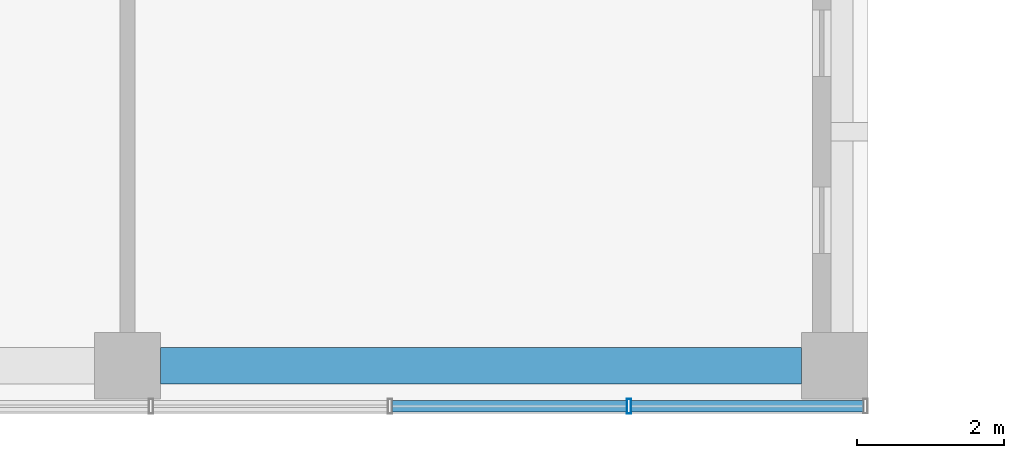
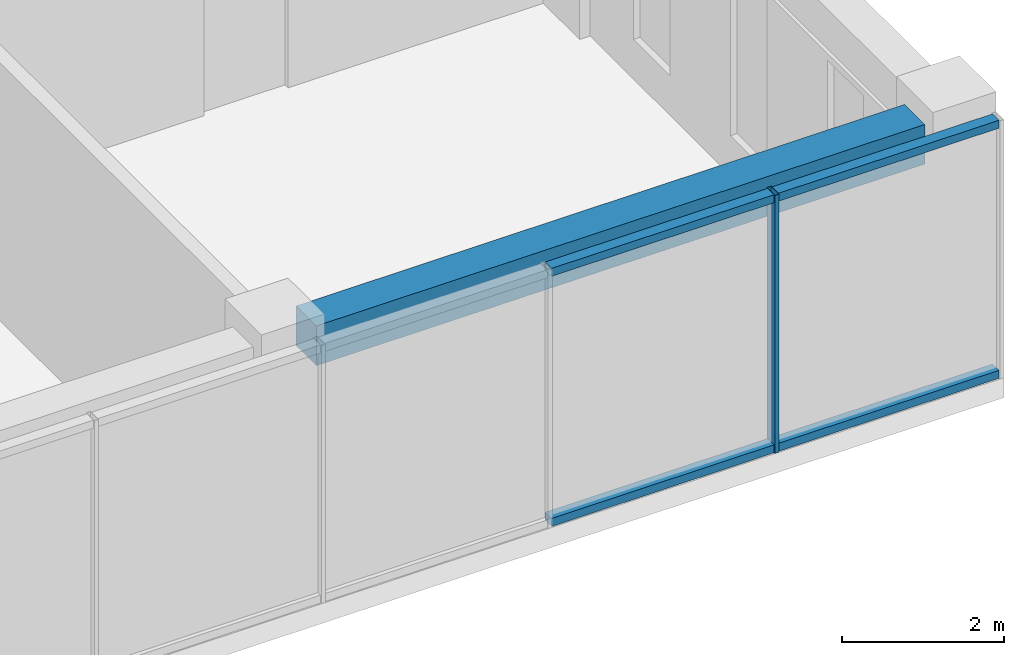
# One storey, part 12 of 37: 5 members, 1 beam, 1 element without a shape of its own.
"""IFC4 building model written with IfcOpenShell, lengths in metres."""

from ifc_helpers import new_model, si_unit, direction, frame, origin, origin_2d, place, context, subcontext, project, spatial, rectangle, hollow_rectangle, extrude, material, layer, layer_set, material_profile, profile_set, type_object, element, aggregate, save


model = new_model("IFC4")

# Units and contexts
model_context = context("Model", 3, precision=1e-05, world=origin(), true_north=direction((0.0, 1.0)))
body_context = subcontext(model_context, "Body", "Model", "MODEL_VIEW")
ifc_project = project(units=[si_unit("LENGTHUNIT", "METRE"), si_unit("AREAUNIT", "SQUARE_METRE"), si_unit("VOLUMEUNIT", "CUBIC_METRE"), si_unit("PLANEANGLEUNIT", "RADIAN"), si_unit("MASSUNIT", "GRAM", prefix="KILO")], contexts=[model_context])

# Site, building, storey
site_placement = place(None, origin())
site = spatial("IfcSite", under=ifc_project, at=site_placement, CompositionType="ELEMENT")
building_placement = place(site_placement, origin())
building = spatial("IfcBuilding", under=site, at=building_placement, Name="Nzadi Deep Aquarium and Research Tower", CompositionType="ELEMENT")
storey_placement = place(building_placement, frame((0.0, 0.0, 57.10009765625)))
storey = spatial("IfcBuildingStorey", under=building, at=storey_placement, Name="L11", CompositionType="ELEMENT", Elevation=57.10009765625)

# Curtain wall, member
ifc_material_1 = material(Name="Aluminium unitised frame", Category="aluminium")
ifc_layer = layer(ifc_material_1, 0.199951171875)
ifc_layer_set = layer_set([ifc_layer], Name="Aluminium unitised frame")
curtain_wall_type = type_object("IfcCurtainWallType", Name="Curtain wall Unitised 200", PredefinedType="NOTDEFINED", material=ifc_layer_set)
curtain_wall_placement = place(storey_placement, origin())
curtain_wall = element("IfcCurtainWall", 1, at=curtain_wall_placement, inside=storey, type_object=curtain_wall_type, Name="Unitised curtain wall blade A south L11", PredefinedType="NOTDEFINED")
ifc_material_2 = material(Name="Aluminium unitised frame", Category="aluminium")
ifc_material_profile_1 = material_profile(ifc_material_2, hollow_rectangle(XDim=0.199951171875, YDim=0.06005859375, WallThickness=0.0048828125, at=origin_2d()))
ifc_profile_set_1 = profile_set([ifc_material_profile_1], Name="Aluminium unitised frame")
member_type_1 = type_object("IfcMemberType", Name="Mullion 60x200 Unitised", PredefinedType="MULLION", material=ifc_profile_set_1)
member_1_placement = place(storey_placement, frame((45.206787109375, -0.10009765625, 0.0), z_axis=(0.0, 0.0, 1.0), x_axis=(0.0, 1.0, 0.0)))
member_1 = element("IfcMember", 2, at=member_1_placement, type_object=member_type_1, Name="CW043 mullion 15", PredefinedType="MULLION", context=body_context, shape_type="SweptSolid", body=[
    extrude(hollow_rectangle(XDim=0.199951171875, YDim=0.06005859375, WallThickness=0.0048828125, at=origin_2d()), origin(), (0.0, 0.0, 1.0), 3.89990234375),
])

# Beam
ifc_material_3 = material(Name="Concrete C35/45", Category="concrete")
ifc_material_profile_2 = material_profile(ifc_material_3, rectangle(XDim=0.5, YDim=0.60009765625, at=origin_2d()))
ifc_profile_set_2 = profile_set([ifc_material_profile_2], Name="Concrete C35/45")
beam_type = type_object("IfcBeamType", Name="RC 500x600", PredefinedType="BEAM", material=ifc_profile_set_2)
beam_placement = place(storey_placement, frame((38.85009765625, 0.449951171875, 3.599853515625), z_axis=(1.0, 0.0, 0.0), x_axis=(0.0, 1.0, 0.0)))
element("IfcBeam", 3, at=beam_placement, inside=storey, type_object=beam_type, Name="B-Z1-L11-L1-5", PredefinedType="BEAM", context=body_context, shape_type="SweptSolid", body=[
    extrude(rectangle(XDim=0.5, YDim=0.60009765625, at=origin_2d()), origin(), (0.0, 0.0, 1.0), 8.699951171875),
])

# Member
ifc_material_4 = material(Name="Aluminium unitised frame", Category="aluminium")
ifc_material_profile_3 = material_profile(ifc_material_4, hollow_rectangle(XDim=0.159912109375, YDim=0.1201171875, WallThickness=0.0048828125, at=origin_2d()))
ifc_profile_set_3 = profile_set([ifc_material_profile_3], Name="Aluminium unitised frame")
member_type_2 = type_object("IfcMemberType", Name="Transom 120x160 Unitised", PredefinedType="MULLION", material=ifc_profile_set_3)
member_2_placement = place(storey_placement, frame((41.993408203125, -0.10009765625, 0.059814453125), z_axis=(1.0, 0.0, 0.0), x_axis=(0.0, 1.0, 0.0)))
member_2 = element("IfcMember", 4, at=member_2_placement, type_object=member_type_2, Name="CW043 transom 14.1", PredefinedType="MULLION", context=body_context, shape_type="SweptSolid", body=[
    extrude(hollow_rectangle(XDim=0.159912109375, YDim=0.1201171875, WallThickness=0.0048828125, at=origin_2d()), origin(), (0.0, 0.0, 1.0), 3.183349609375),
])

member_3_placement = place(storey_placement, frame((41.993408203125, -0.10009765625, 3.83984375), z_axis=(1.0, 0.0, 0.0), x_axis=(0.0, 1.0, 0.0)))
member_3 = element("IfcMember", 5, at=member_3_placement, type_object=member_type_2, Name="CW043 transom 14.2", PredefinedType="MULLION", context=body_context, shape_type="SweptSolid", body=[
    extrude(hollow_rectangle(XDim=0.159912109375, YDim=0.1201171875, WallThickness=0.0048828125, at=origin_2d()), origin(), (0.0, 0.0, 1.0), 3.183349609375),
])

member_4_placement = place(storey_placement, frame((45.236572265625, -0.10009765625, 0.059814453125), z_axis=(1.0, 0.0, 0.0), x_axis=(0.0, 1.0, 0.0)))
member_4 = element("IfcMember", 6, at=member_4_placement, type_object=member_type_2, Name="CW043 transom 15.1", PredefinedType="MULLION", context=body_context, shape_type="SweptSolid", body=[
    extrude(hollow_rectangle(XDim=0.159912109375, YDim=0.1201171875, WallThickness=0.0048828125, at=origin_2d()), origin(), (0.0, 0.0, 1.0), 3.1533203125),
])

member_5_placement = place(storey_placement, frame((45.236572265625, -0.10009765625, 3.83984375), z_axis=(1.0, 0.0, 0.0), x_axis=(0.0, 1.0, 0.0)))
member_5 = element("IfcMember", 7, at=member_5_placement, type_object=member_type_2, Name="CW043 transom 15.2", PredefinedType="MULLION", context=body_context, shape_type="SweptSolid", body=[
    extrude(hollow_rectangle(XDim=0.159912109375, YDim=0.1201171875, WallThickness=0.0048828125, at=origin_2d()), origin(), (0.0, 0.0, 1.0), 3.1533203125),
])

aggregate(curtain_wall, [member_1, member_2, member_3, member_4, member_5])

save(model, "model.ifc")
